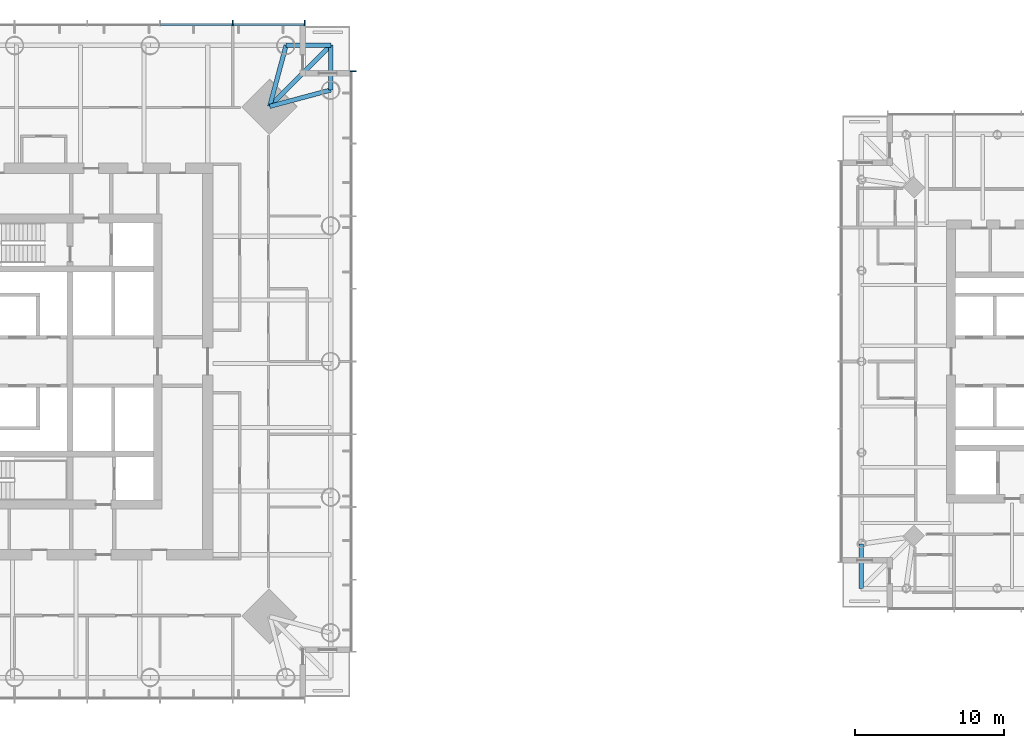
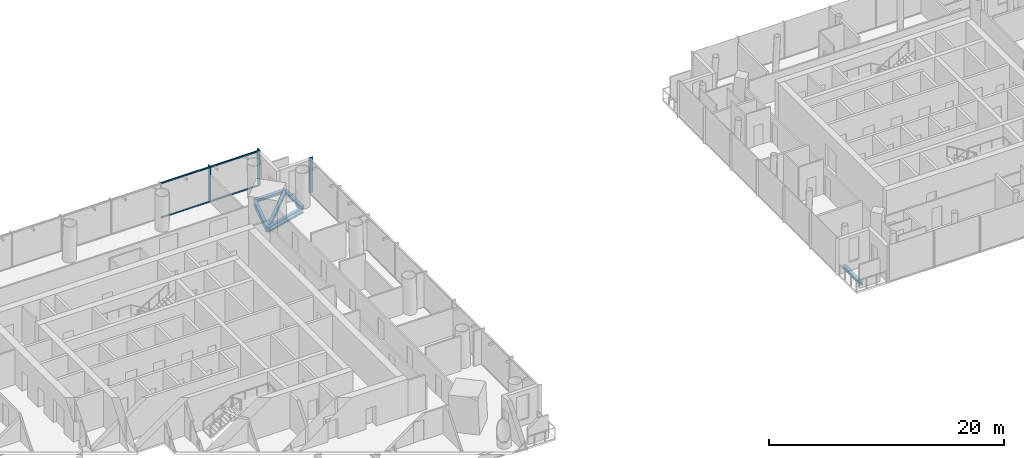
# One storey, part 4 of 20: 7 members, 6 beams, 2 elements without a shape of their own.
"""IFC4 building model written with IfcOpenShell, lengths in metres."""

from ifc_helpers import new_model, si_unit, direction, frame, origin, origin_2d, place, context, subcontext, project, spatial, rectangle, i_section, extrude, material, material_profile, profile_set, type_object, element, aggregate, save


model = new_model("IFC4")

# Units and contexts
model_context = context("Model", 3, precision=1e-05, world=origin(), true_north=direction((0.0, 1.0)))
body_context = subcontext(model_context, "Body", "Model", "MODEL_VIEW")
ifc_project = project(units=[si_unit("LENGTHUNIT", "METRE"), si_unit("AREAUNIT", "SQUARE_METRE"), si_unit("VOLUMEUNIT", "CUBIC_METRE"), si_unit("PLANEANGLEUNIT", "RADIAN"), si_unit("MASSUNIT", "GRAM", prefix="KILO")], contexts=[model_context])

# Site, building, storey
site_placement = place(None, origin())
site = spatial("IfcSite", under=ifc_project, at=site_placement, CompositionType="ELEMENT")
building_placement = place(site_placement, origin())
building = spatial("IfcBuilding", under=site, at=building_placement, Name="Ostroluk Exchange", CompositionType="ELEMENT")
storey_placement = place(building_placement, frame((0.0, 0.0, 108.39990234375)))
storey = spatial("IfcBuildingStorey", under=building, at=storey_placement, Name="L27", CompositionType="ELEMENT", Elevation=108.39990234375)

# Beams
ifc_material_1 = material(Name="Steel S355", Category="steel")
ifc_material_profile_1 = material_profile(ifc_material_1, i_section(OverallWidth=0.300048828125, OverallDepth=0.300048828125, WebThickness=0.010986328125, FlangeThickness=0.01904296875, FilletRadius=0.027099609375, at=origin_2d()), Name="HEB 300")
ifc_profile_set_1 = profile_set([ifc_material_profile_1], Name="Steel S355")
beam_type_1 = type_object("IfcBeamType", Name="Balcony beam HEB 300", PredefinedType="BEAM", material=ifc_profile_set_1)
for number, where, z_axis, x_axis, name in (
    (1, (66.20703125, 64.20703125, -0.329833984375), (0.0, 1.0, 0.0), (-1.0, 0.0, 0.0), "T1 east balcony beam a"),
    (2, (63.20703125, 67.20703125, -0.329833984375), (1.0, 0.0, 0.0), (0.0, 1.0, 0.0), "T1 east balcony beam b"),
):
    element("IfcBeam", number, at=place(storey_placement, frame(where, z_axis=z_axis, x_axis=x_axis)), inside=storey, type_object=beam_type_1, Name=name, PredefinedType="BEAM", context=body_context, shape_type="SweptSolid", body=[
        extrude(i_section(OverallWidth=0.300048828125, OverallDepth=0.300048828125, WebThickness=0.010986328125, FlangeThickness=0.01904296875, FilletRadius=0.027099609375, at=origin_2d()), origin(), (0.0, 0.0, 1.0), 3.0),
    ])
beam_1_placement = place(storey_placement, frame((62.107177734375, 63.107177734375, -0.329833984375), z_axis=(0.707106781187, 0.707106781187, 0.0), x_axis=(-0.707106781187, 0.707106781187, 0.0)))
element("IfcBeam", 3, at=beam_1_placement, inside=storey, type_object=beam_type_1, Name="T1 east balcony beam c", PredefinedType="BEAM", context=body_context, shape_type="SweptSolid", body=[
    extrude(i_section(OverallWidth=0.300048828125, OverallDepth=0.300048828125, WebThickness=0.010986328125, FlangeThickness=0.01904296875, FilletRadius=0.027099609375, at=origin_2d()), origin(), (0.0, 0.0, 1.0), 5.798095703125),
])
beam_2_placement = place(storey_placement, frame((101.767333984375, 33.767333984375, -0.349853515625), z_axis=(0.0, -1.0, 0.0), x_axis=(1.0, 0.0, 0.0)))
element("IfcBeam", 4, at=beam_2_placement, inside=storey, type_object=beam_type_1, Name="T2 west balcony beam a", PredefinedType="BEAM", context=body_context, shape_type="SweptSolid", body=[
    extrude(i_section(OverallWidth=0.300048828125, OverallDepth=0.300048828125, WebThickness=0.010986328125, FlangeThickness=0.01904296875, FilletRadius=0.027099609375, at=origin_2d()), origin(), (0.0, 0.0, 1.0), 3.0),
])
ifc_material_2 = material(Name="Steel S355", Category="steel")
ifc_material_profile_2 = material_profile(ifc_material_2, i_section(OverallWidth=0.300048828125, OverallDepth=0.550048828125, WebThickness=0.014892578125, FlangeThickness=0.029052734375, FilletRadius=0.027099609375, at=origin_2d()), Name="HEB 550")
ifc_profile_set_2 = profile_set([ifc_material_profile_2], Name="Steel S355")
beam_type_2 = type_object("IfcBeamType", Name="Corner edge beam HEB 550", PredefinedType="SPANDREL", material=ifc_profile_set_2)
for number, where, z_axis, x_axis, name in (
    (5, (62.107177734375, 63.107177734375, -0.454833984375), (0.965849156574, 0.259105011038, 0.0), (-0.259105011038, 0.965849156574, 0.0), "T1 east corner edge beam a"),
    (6, (62.107177734375, 63.107177734375, -0.454833984375), (0.259105011038, 0.965849156574, 0.0), (-0.965849156574, 0.259105011038, 0.0), "T1 east corner edge beam b"),
):
    element("IfcBeam", number, at=place(storey_placement, frame(where, z_axis=z_axis, x_axis=x_axis)), inside=storey, type_object=beam_type_2, Name=name, PredefinedType="SPANDREL", context=body_context, shape_type="SweptSolid", body=[
        extrude(i_section(OverallWidth=0.300048828125, OverallDepth=0.550048828125, WebThickness=0.014892578125, FlangeThickness=0.029052734375, FilletRadius=0.027099609375, at=origin_2d()), origin(), (0.0, 0.0, 1.0), 4.244873046875),
    ])

# Curtain wall, members
ifc_material_3 = material(Name="Laminated clear glass", Category="glass")
curtain_wall_type = type_object("IfcCurtainWallType", Name="Office tower facade", PredefinedType="USERDEFINED", material=ifc_material_3)
curtain_wall_1_placement = place(storey_placement, origin())
curtain_wall_1 = element("IfcCurtainWall", 7, at=curtain_wall_1_placement, inside=storey, type_object=curtain_wall_type, Name="Office tower north facade L27", ObjectType="UNITISED CURTAIN WALL", PredefinedType="USERDEFINED")
ifc_material_4 = material(Name="Aluminium mullion", Category="aluminium")
ifc_material_profile_3 = material_profile(ifc_material_4, rectangle(XDim=0.14990234375, YDim=0.080078125, at=origin_2d()), Name="Sill transom 80 x 150")
ifc_profile_set_3 = profile_set([ifc_material_profile_3], Name="Aluminium mullion")
member_type_1 = type_object("IfcMemberType", Name="Sill transom 80 x 150", PredefinedType="USERDEFINED", material=ifc_profile_set_3)
member_1_placement = place(storey_placement, frame((64.419921875, 68.574951171875, 0.0400390625), z_axis=(-1.0, 0.0, 0.0), x_axis=(0.0, -1.0, 0.0)))
member_1 = element("IfcMember", 8, at=member_1_placement, type_object=member_type_1, Name="CW-O1 transom 1.1", ObjectType="TRANSOM", PredefinedType="USERDEFINED", context=body_context, shape_type="SweptSolid", body=[
    extrude(rectangle(XDim=0.14990234375, YDim=0.080078125, at=origin_2d()), origin(), (0.0, 0.0, 1.0), 4.7548828125),
])
member_2_placement = place(storey_placement, frame((64.419921875, 68.574951171875, 3.610107421875), z_axis=(-1.0, 0.0, 0.0), x_axis=(0.0, -1.0, 0.0)))
member_2 = element("IfcMember", 9, at=member_2_placement, type_object=member_type_1, Name="CW-O1 transom 1.2", ObjectType="TRANSOM", PredefinedType="USERDEFINED", context=body_context, shape_type="SweptSolid", body=[
    extrude(rectangle(XDim=0.14990234375, YDim=0.080078125, at=origin_2d()), origin(), (0.0, 0.0, 1.0), 4.7548828125),
])
member_3_placement = place(storey_placement, frame((59.5849609375, 68.574951171875, 0.0400390625), z_axis=(-1.0, 0.0, 0.0), x_axis=(0.0, -1.0, 0.0)))
member_3 = element("IfcMember", 10, at=member_3_placement, type_object=member_type_1, Name="CW-O1 transom 2.1", ObjectType="TRANSOM", PredefinedType="USERDEFINED", context=body_context, shape_type="SweptSolid", body=[
    extrude(rectangle(XDim=0.14990234375, YDim=0.080078125, at=origin_2d()), origin(), (0.0, 0.0, 1.0), 4.794921875),
])
member_4_placement = place(storey_placement, frame((59.5849609375, 68.574951171875, 3.610107421875), z_axis=(-1.0, 0.0, 0.0), x_axis=(0.0, -1.0, 0.0)))
member_4 = element("IfcMember", 11, at=member_4_placement, type_object=member_type_1, Name="CW-O1 transom 2.2", ObjectType="TRANSOM", PredefinedType="USERDEFINED", context=body_context, shape_type="SweptSolid", body=[
    extrude(rectangle(XDim=0.14990234375, YDim=0.080078125, at=origin_2d()), origin(), (0.0, 0.0, 1.0), 4.794921875),
])

# Curtain wall, member
curtain_wall_2_placement = place(storey_placement, origin())
curtain_wall_2 = element("IfcCurtainWall", 12, at=curtain_wall_2_placement, inside=storey, type_object=curtain_wall_type, Name="Office tower east facade L27", ObjectType="UNITISED CURTAIN WALL", PredefinedType="USERDEFINED")
ifc_material_5 = material(Name="Aluminium mullion with limestone facing", Category="masonry")
ifc_material_profile_4 = material_profile(ifc_material_5, rectangle(XDim=0.39990234375, YDim=0.080078125, at=origin_2d()), Name="Tracery mullion 80 x 400")
ifc_profile_set_4 = profile_set([ifc_material_profile_4], Name="Aluminium mullion with limestone facing")
member_type_2 = type_object("IfcMemberType", Name="Tracery mullion 80 x 400", PredefinedType="MULLION", material=ifc_profile_set_4)
member_5_placement = place(storey_placement, frame((67.699951171875, 65.4599609375, 0.0), z_axis=(0.0, 0.0, 1.0), x_axis=(-1.0, 0.0, 0.0)))
member_5 = element("IfcMember", 13, at=member_5_placement, type_object=member_type_2, Name="CW-O1 mullion 9", PredefinedType="MULLION", context=body_context, shape_type="SweptSolid", body=[
    extrude(rectangle(XDim=0.39990234375, YDim=0.080078125, at=origin_2d()), origin(), (0.0, 0.0, 1.0), 3.650146484375),
])
aggregate(curtain_wall_2, [member_5])

# Member
member_6_placement = place(storey_placement, frame((64.4599609375, 68.699951171875, 0.0), z_axis=(0.0, 0.0, 1.0), x_axis=(0.0, -1.0, 0.0)))
member_6 = element("IfcMember", 14, at=member_6_placement, type_object=member_type_2, Name="CW-O1 mullion 1", PredefinedType="MULLION", context=body_context, shape_type="SweptSolid", body=[
    extrude(rectangle(XDim=0.39990234375, YDim=0.080078125, at=origin_2d()), origin(), (0.0, 0.0, 1.0), 3.650146484375),
])

member_7_placement = place(storey_placement, frame((59.625, 68.699951171875, 0.0), z_axis=(0.0, 0.0, 1.0), x_axis=(0.0, -1.0, 0.0)))
member_7 = element("IfcMember", 15, at=member_7_placement, type_object=member_type_2, Name="CW-O1 mullion 2", PredefinedType="MULLION", context=body_context, shape_type="SweptSolid", body=[
    extrude(rectangle(XDim=0.39990234375, YDim=0.080078125, at=origin_2d()), origin(), (0.0, 0.0, 1.0), 3.650146484375),
])

aggregate(curtain_wall_1, [member_6, member_7, member_1, member_2, member_3, member_4])

save(model, "model.ifc")
